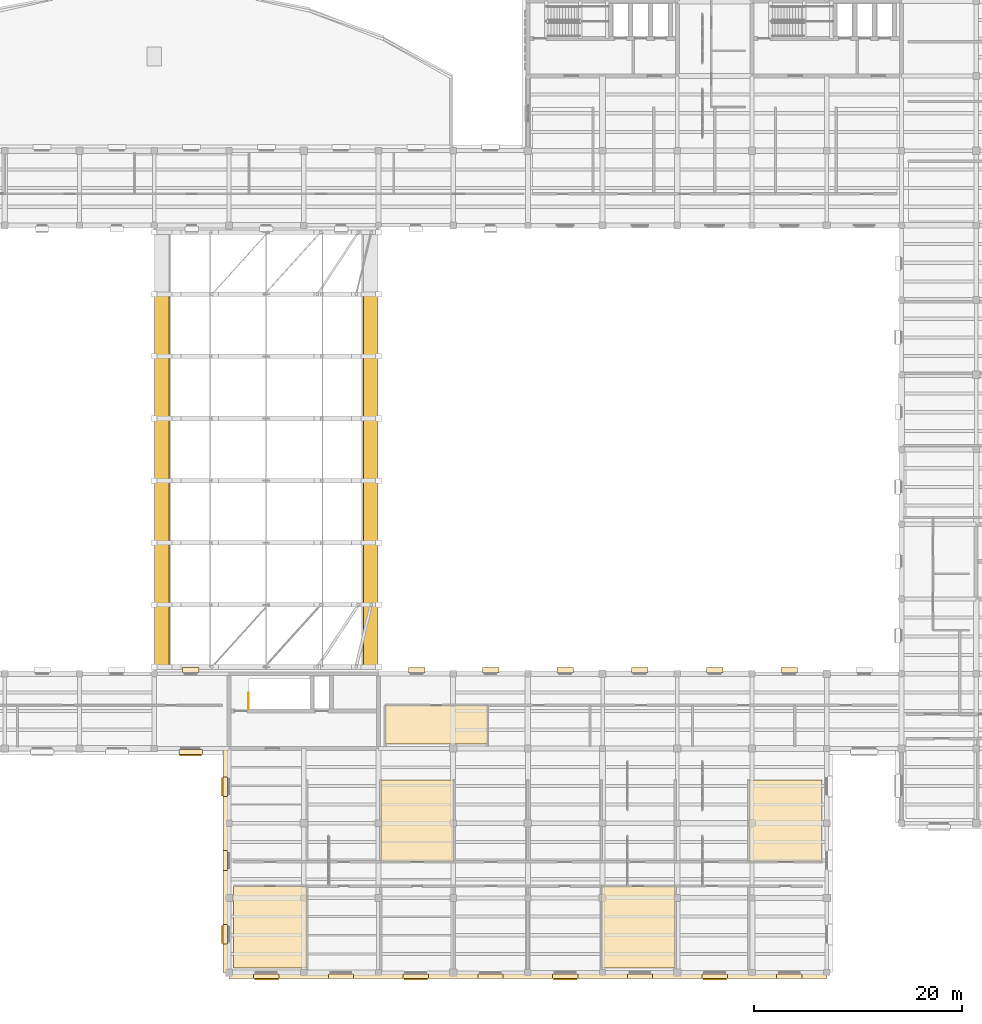
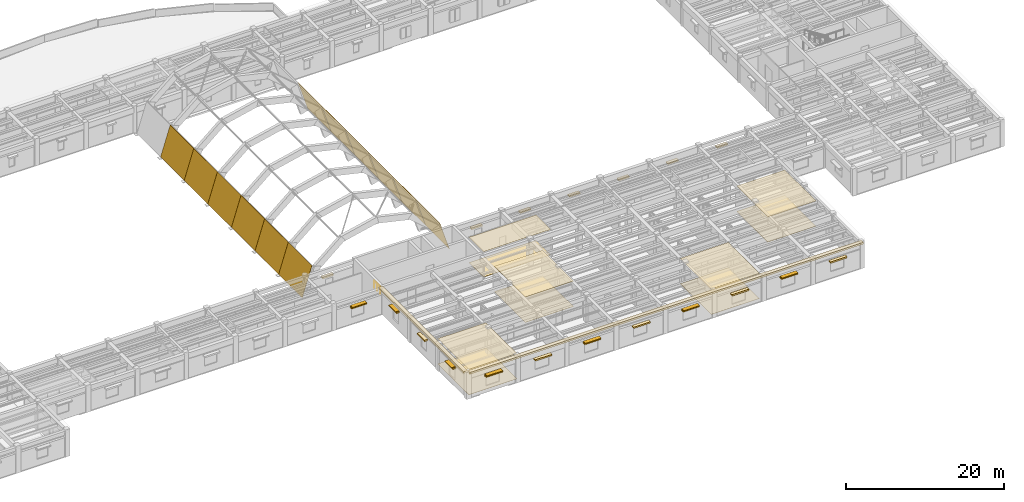
# One storey, part 61 of 66: 43 coverings, 7 shading devices, 1 railing.
"""IFC4 building model written with IfcOpenShell, lengths in metres."""

import ifcopenshell
import ifcopenshell.guid

model = None  # the IFC model being written
_history = None  # IfcOwnerHistory: only IFC2X3 demands one
_inside = {}  # id of a spatial element -> (the spatial element, [elements in it])
_under = {}  # id of a project, library or spatial element -> (it, [spatial elements below it])
_declared = {}  # id of a project -> (the project, [libraries it declares])
_typed = {}  # id of a type object -> (the type object, [elements of that type])
_made_of = {}  # id of a material, layer set ... -> (it, [elements and type objects made of it])


def new_model(schema):
    """Start an empty IFC model of exactly this schema.

    Asked for "IFC4X3", IfcOpenShell would pick the latest addendum, in which some entities
    have other attributes; the version numbers below select the first issue.
    IFC2X3 requires an IfcOwnerHistory on every rooted entity: one is made here for all.
    """
    global model, _history
    if schema == "IFC4X3":
        model = ifcopenshell.file(schema_version=(4, 3, 0, 0))
    else:
        model = ifcopenshell.file(schema=schema)
    _inside.clear()
    _under.clear()
    _declared.clear()
    _typed.clear()
    _made_of.clear()
    _history = None
    if model.schema == "IFC2X3":
        org = make("IfcOrganization", Name="unknown")
        user = make(
            "IfcPersonAndOrganization",
            ThePerson=make("IfcPerson", FamilyName="unknown"),
            TheOrganization=org,
        )
        app = make(
            "IfcApplication",
            ApplicationDeveloper=org,
            Version="unknown",
            ApplicationFullName="unknown",
            ApplicationIdentifier="unknown",
        )
        _history = make(
            "IfcOwnerHistory",
            OwningUser=user,
            OwningApplication=app,
            ChangeAction="ADDED",
            CreationDate=0,
        )
    return model


def make(cls, **values):
    """One entity of the class cls with the attributes given. An attribute that is None is left unset."""
    return model.create_entity(
        cls, **{name: value for name, value in values.items() if value is not None}
    )


def rooted(cls, **values):
    """An entity with a GlobalId (a new one), such as an element, a storey or a relation."""
    return make(cls, GlobalId=ifcopenshell.guid.new(), OwnerHistory=_history, **values)


def si_unit(unit_type, name, prefix=None):
    """IfcSIUnit, for example si_unit("LENGTHUNIT", "METRE", prefix="MILLI")."""
    return make("IfcSIUnit", UnitType=unit_type, Prefix=prefix, Name=name)


def assignment(units):
    """IfcUnitAssignment: the units of a project."""
    return None if units is None else make("IfcUnitAssignment", Units=units)


def point(xyz):
    """IfcCartesianPoint."""
    return None if xyz is None else make("IfcCartesianPoint", Coordinates=xyz)


def direction(xyz):
    """IfcDirection."""
    return None if xyz is None else make("IfcDirection", DirectionRatios=xyz)


def frame(location, z_axis=None, x_axis=None):
    """IfcAxis2Placement3D, a coordinate frame: its origin and axes. An axis left out is left unset."""
    return make(
        "IfcAxis2Placement3D",
        Location=point(location),
        Axis=direction(z_axis),
        RefDirection=direction(x_axis),
    )


def frame_2d(location, x_axis=None):
    """IfcAxis2Placement2D, a coordinate frame in the plane: its origin and x axis."""
    return make(
        "IfcAxis2Placement2D", Location=point(location), RefDirection=direction(x_axis)
    )


def origin():
    """The frame at (0, 0, 0) with its axes left unset."""
    return frame((0.0, 0.0, 0.0))


def origin_2d():
    """The frame at (0, 0) in the plane with its x axis left unset."""
    return frame_2d((0.0, 0.0))


def place(relative_to, where):
    """IfcLocalPlacement: puts the frame where relative to a parent placement (None: the world)."""
    return make(
        "IfcLocalPlacement", PlacementRelTo=relative_to, RelativePlacement=where
    )


def context(
    kind, dimensions, precision=None, world=None, true_north=None, identifier=None
):
    """IfcGeometricRepresentationContext, for example the 3D "Model" context."""
    return make(
        "IfcGeometricRepresentationContext",
        ContextIdentifier=identifier,
        ContextType=kind,
        CoordinateSpaceDimension=dimensions,
        Precision=precision,
        WorldCoordinateSystem=world,
        TrueNorth=true_north,
    )


def subcontext(parent, identifier, kind, view, scale=None):
    """IfcGeometricRepresentationSubContext, for example "Body" below "Model"."""
    return make(
        "IfcGeometricRepresentationSubContext",
        ContextIdentifier=identifier,
        ContextType=kind,
        ParentContext=parent,
        TargetScale=scale,
        TargetView=view,
    )


def project(units=None, contexts=None):
    """IfcProject with its units and contexts."""
    return rooted(
        "IfcProject",
        Name="project",
        RepresentationContexts=contexts,
        UnitsInContext=assignment(units),
    )


def spatial(cls, under=None, at=None, **own):
    """A site, building, storey or space (cls), placed at a placement, below another one or the project."""
    s = rooted(cls, ObjectPlacement=at, **own)
    if under is not None:
        _under.setdefault(under.id(), (under, []))[1].append(s)
    return s


def polyline(points):
    """IfcPolyline through the points."""
    return make("IfcPolyline", Points=[point(p) for p in points])


def profile(cls, at=None, kind="AREA", **sizes):
    """A parametric profile (cls). Its sizes go by their IFC names, for example OverallWidth=200.0."""
    return make(cls, ProfileType=kind, Position=at, **sizes)


def rectangle(**sizes):
    """IfcRectangleProfileDef."""
    return profile("IfcRectangleProfileDef", **sizes)


def circle(**sizes):
    """IfcCircleProfileDef."""
    return profile("IfcCircleProfileDef", **sizes)


def outline(outer, holes=None, kind="AREA"):
    """IfcArbitraryClosedProfileDef: a profile drawn as a closed curve; with holes, ...WithVoids."""
    if holes is None:
        return make("IfcArbitraryClosedProfileDef", ProfileType=kind, OuterCurve=outer)
    return make(
        "IfcArbitraryProfileDefWithVoids",
        ProfileType=kind,
        OuterCurve=outer,
        InnerCurves=holes,
    )


def extrude(swept, where, along, depth):
    """IfcExtrudedAreaSolid: the profile swept, set in the frame where, extruded along a direction by depth."""
    return make(
        "IfcExtrudedAreaSolid",
        SweptArea=swept,
        Position=where,
        ExtrudedDirection=direction(along),
        Depth=depth,
    )


def shape(context_of_items, identifier, shape_type, items):
    """IfcShapeRepresentation: the items that make up one representation, for example the "Body"."""
    return make(
        "IfcShapeRepresentation",
        ContextOfItems=context_of_items,
        RepresentationIdentifier=identifier,
        RepresentationType=shape_type,
        Items=items,
    )


def material(Name=None, Category=None):
    """IfcMaterial."""
    return make("IfcMaterial", Name=Name, Category=Category)


def layer(
    of_material, thickness, ventilated=None, Name=None, Category=None, Priority=None
):
    """IfcMaterialLayer: one layer of a wall or slab, of a material (None: an air gap)."""
    return make(
        "IfcMaterialLayer",
        Material=of_material,
        LayerThickness=thickness,
        IsVentilated=ventilated,
        Name=Name,
        Category=Category,
        Priority=Priority,
    )


def layer_set(layers, Name=None):
    """IfcMaterialLayerSet."""
    return make("IfcMaterialLayerSet", MaterialLayers=layers, LayerSetName=Name)


def made_of(thing, what):
    """Note that an element or type object is made of a material, layer set ...; save() writes the relation."""
    if what is not None:
        _made_of.setdefault(what.id(), (what, []))[1].append(thing)
    return thing


def type_object(cls, material=None, **own):
    """A type object (cls), such as IfcWallType, which elements share."""
    return made_of(rooted(cls, **own), material)


def element(
    cls,
    number,
    at=None,
    inside=None,
    cuts=None,
    type_object=None,
    material=None,
    context=None,
    identifier="Body",
    shape_type=None,
    held_by="IfcProductDefinitionShape",
    body=None,
    shapes=None,
    **own,
):
    """One element of the class cls, such as IfcWall. Its Tag is "e" and its number.

    at: its placement. inside: the storey or other place that contains it. cuts: it is an
    opening in that element (IfcRelVoidsElement). A single representation is given by context,
    identifier, shape_type and body (its items); several are given by shapes. held_by: the class
    of the entity that holds the representations. save() writes the other relations.
    """
    e = rooted(cls, Tag="e%d" % number, ObjectPlacement=at, **own)
    if body is not None:
        shapes = [shape(context, identifier, shape_type, body)]
    if shapes is not None:
        e.Representation = make(held_by, Representations=shapes)
    if inside is not None:
        _inside.setdefault(inside.id(), (inside, []))[1].append(e)
    if cuts is not None:
        rooted(
            "IfcRelVoidsElement", RelatingBuildingElement=cuts, RelatedOpeningElement=e
        )
    if type_object is not None:
        _typed.setdefault(type_object.id(), (type_object, []))[1].append(e)
    return made_of(e, material)


def aggregate(whole, parts):
    """IfcRelAggregates: a whole, such as a stair, and the parts it consists of."""
    return rooted("IfcRelAggregates", RelatingObject=whole, RelatedObjects=parts)


def save(model, path):
    """Write the relations noted so far, then the file.

    IfcRelAggregates (storeys below a building ...), IfcRelContainedInSpatialStructure (elements
    in a storey), IfcRelDefinesByType, IfcRelAssociatesMaterial and IfcRelDeclares: one each for
    every whole, place, type object, material and project.
    """
    for whole, parts in _under.values():
        aggregate(whole, parts)
    for where, things in _inside.values():
        rooted(
            "IfcRelContainedInSpatialStructure",
            RelatedElements=things,
            RelatingStructure=where,
        )
    for kind, things in _typed.values():
        rooted("IfcRelDefinesByType", RelatedObjects=things, RelatingType=kind)
    for what, things in _made_of.values():
        rooted("IfcRelAssociatesMaterial", RelatedObjects=things, RelatingMaterial=what)
    for by, libraries in _declared.values():
        rooted("IfcRelDeclares", RelatingContext=by, RelatedDefinitions=libraries)
    model.write(path)


model = new_model("IFC4")

# Units and contexts
model_context = context("Model", 3, precision=1e-05, world=origin(), true_north=direction((0.0, 1.0)))
body_context = subcontext(model_context, "Body", "Model", "MODEL_VIEW")
ifc_project = project(units=[si_unit("LENGTHUNIT", "METRE"), si_unit("AREAUNIT", "SQUARE_METRE"), si_unit("VOLUMEUNIT", "CUBIC_METRE"), si_unit("PLANEANGLEUNIT", "RADIAN"), si_unit("MASSUNIT", "GRAM", prefix="KILO")], contexts=[model_context])

# Site, building, storey
site_placement = place(None, origin())
site = spatial("IfcSite", under=ifc_project, at=site_placement, CompositionType="ELEMENT")
building_placement = place(site_placement, origin())
building = spatial("IfcBuilding", under=site, at=building_placement, Name="Mithqara Police Headquarters", CompositionType="ELEMENT")
storey_placement = place(building_placement, frame((0.0, 0.0, 9.60009765625)))
storey = spatial("IfcBuildingStorey", under=building, at=storey_placement, Name="L02", CompositionType="ELEMENT", Elevation=9.60009765625)

# Coverings
ifc_material_1 = material(Name="Acoustic mineral-fibre ceiling tile", Category="gypsum")
ifc_layer_1 = layer(ifc_material_1, 0.02490234375, Name="Acoustic mineral-fibre ceiling tile")
ifc_layer_set_1 = layer_set([ifc_layer_1], Name="Acoustic mineral-fibre ceiling tile")
covering_type_1 = type_object("IfcCoveringType", Name="ACOUSTIC CEILING TILE", PredefinedType="CEILING", material=ifc_layer_set_1)
covering_1_placement = place(storey_placement, frame((0.0, 0.0, 3.914794921875)))
element("IfcCovering", 1, at=covering_1_placement, inside=storey, type_object=covering_type_1, Name="Community Safety Analysis Office Acoustic Ceiling", PredefinedType="CEILING", context=body_context, shape_type="SweptSolid", body=[
    extrude(outline(polyline([(94.8701171875, 28.639892578125), (104.696044921875, 28.639892578125), (104.696044921875, 32.340087890625), (94.8701171875, 32.340087890625), (94.8701171875, 28.639892578125)])), origin(), (0.0, 0.0, 1.0), 0.025146484375),
])
covering_2_placement = place(storey_placement, frame((0.0, 0.0, 3.914794921875)))
element("IfcCovering", 2, at=covering_2_placement, inside=storey, type_object=covering_type_1, Name="Custody Administration Suite Acoustic Ceiling", PredefinedType="CEILING", context=body_context, shape_type="SweptSolid", body=[
    extrude(outline(polyline([(80.239990234375, 7.0400390625), (87.294921875, 7.0400390625), (87.294921875, 14.919921875), (80.239990234375, 14.919921875), (80.239990234375, 7.0400390625)])), origin(), (0.0, 0.0, 1.0), 0.025146484375),
])
covering_3_placement = place(storey_placement, frame((0.0, 0.0, 3.914794921875)))
element("IfcCovering", 3, at=covering_3_placement, inside=storey, type_object=covering_type_1, Name="Legal Counsel Consultation Room Acoustic Ceiling", PredefinedType="CEILING", context=body_context, shape_type="SweptSolid", body=[
    extrude(outline(polyline([(115.715087890625, 7.0400390625), (122.77001953125, 7.0400390625), (122.77001953125, 14.919921875), (115.715087890625, 14.919921875), (115.715087890625, 7.0400390625)])), origin(), (0.0, 0.0, 1.0), 0.025146484375),
])
covering_4_placement = place(storey_placement, frame((0.0, 0.0, 3.914794921875)))
element("IfcCovering", 4, at=covering_4_placement, inside=storey, type_object=covering_type_1, Name="Magistrate Video Hearing Room Acoustic Ceiling", PredefinedType="CEILING", context=body_context, shape_type="SweptSolid", body=[
    extrude(outline(polyline([(94.429931640625, 17.300048828125), (101.485107421875, 17.300048828125), (101.485107421875, 25.179931640625), (94.429931640625, 25.179931640625), (94.429931640625, 17.300048828125)])), origin(), (0.0, 0.0, 1.0), 0.025146484375),
])
covering_5_placement = place(storey_placement, frame((0.0, 0.0, 3.914794921875)))
element("IfcCovering", 5, at=covering_5_placement, inside=storey, type_object=covering_type_1, Name="Custody Administration Suite Acoustic Ceiling", PredefinedType="CEILING", context=body_context, shape_type="SweptSolid", body=[
    extrude(outline(polyline([(129.905029296875, 17.300048828125), (136.9599609375, 17.300048828125), (136.9599609375, 25.179931640625), (129.905029296875, 25.179931640625), (129.905029296875, 17.300048828125)])), origin(), (0.0, 0.0, 1.0), 0.025146484375),
])
ifc_material_2 = material(Name="Limestone ashlar masonry, 45 MPa", Category="masonry")
ifc_layer_2 = layer(ifc_material_2, 0.320068359375, Name="Limestone ashlar masonry, 45 MPa")
ifc_layer_set_2 = layer_set([ifc_layer_2], Name="Limestone ashlar masonry, 45 MPa")
covering_type_2 = type_object("IfcCoveringType", Name="CORNICE LIMESTONE", PredefinedType="CLADDING", material=ifc_layer_set_2)
covering_6_placement = place(storey_placement, frame((79.52001953125, 17.39990234375, 3.919921875), z_axis=(0.0, 0.0, 1.0), x_axis=(0.0, 1.0, 0.0)))
element("IfcCovering", 6, at=covering_6_placement, inside=storey, type_object=covering_type_2, Name="L02 Projecting Ottoman Limestone Eaves Cornice 1", PredefinedType="CLADDING", context=body_context, shape_type="SweptSolid", body=[
    extrude(rectangle(XDim=21.60009765625, YDim=0.56005859375, at=origin_2d()), origin(), (0.0, 0.0, 1.0), 0.280029296875),
])
covering_7_placement = place(storey_placement, frame((108.60009765625, 6.320068359375, 3.919921875), z_axis=(0.0, 0.0, 1.0), x_axis=(1.0, 0.0, 0.0)))
element("IfcCovering", 7, at=covering_7_placement, inside=storey, type_object=covering_type_2, Name="L02 Projecting Ottoman Limestone Eaves Cornice 2", PredefinedType="CLADDING", context=body_context, shape_type="SweptSolid", body=[
    extrude(rectangle(XDim=57.60009765625, YDim=0.56005859375, at=origin_2d()), origin(), (0.0, 0.0, 1.0), 0.280029296875),
])

# Shading devices
ifc_material_3 = material(Name="Bronze anodised aluminium 6063-T6", Category="aluminium")
shading_device_type = type_object("IfcShadingDeviceType", Name="SOLAR LOUVRE BRONZE", PredefinedType="JALOUSIE", material=ifc_material_3)
for number, where, z_axis, x_axis, name in (
    (8, (79.389892578125, 10.280029296875, 3.079833984375), (0.0, 0.0, 1.0), (0.0, 1.0, 0.0), "L02 Window Solar Louvre Hood 1.1"),
    (9, (79.389892578125, 24.5048828125, 3.079833984375), (0.0, 0.0, 1.0), (0.0, 1.0, 0.0), "L02 Window Solar Louvre Hood 1.3"),
):
    element("IfcShadingDevice", number, at=place(storey_placement, frame(where, z_axis=z_axis, x_axis=x_axis)), inside=storey, type_object=shading_device_type, Name=name, PredefinedType="JALOUSIE", context=body_context, shape_type="SweptSolid", body=[
        extrude(rectangle(XDim=1.75, YDim=0.60009765625, at=origin_2d()), origin(), (0.0, 0.0, 1.0), 0.10009765625),
    ])
for number, where, z_axis, x_axis, name in (
    (10, (83.39990234375, 6.18994140625, 2.829833984375), (0.0, 0.0, 1.0), (1.0, 0.0, 0.0), "L02 Window Solar Louvre Hood 2.1"),
    (11, (97.800048828125, 6.18994140625, 2.829833984375), (0.0, 0.0, 1.0), (1.0, 0.0, 0.0), "L02 Window Solar Louvre Hood 2.3"),
    (12, (112.199951171875, 6.18994140625, 2.829833984375), (0.0, 0.0, 1.0), (1.0, 0.0, 0.0), "L02 Window Solar Louvre Hood 2.5"),
    (13, (126.60009765625, 6.18994140625, 2.829833984375), (0.0, 0.0, 1.0), (1.0, 0.0, 0.0), "L02 Window Solar Louvre Hood 2.7"),
):
    element("IfcShadingDevice", number, at=place(storey_placement, frame(where, z_axis=z_axis, x_axis=x_axis)), inside=storey, type_object=shading_device_type, Name=name, PredefinedType="JALOUSIE", context=body_context, shape_type="SweptSolid", body=[
        extrude(rectangle(XDim=2.300048828125, YDim=0.60009765625, at=origin_2d()), origin(), (0.0, 0.0, 1.0), 0.10009765625),
    ])
shading_device_placement = place(storey_placement, frame((76.10498046875, 27.7900390625, 2.829833984375), z_axis=(0.0, 0.0, 1.0), x_axis=(1.0, 0.0, 0.0)))
element("IfcShadingDevice", 14, at=shading_device_placement, inside=storey, type_object=shading_device_type, Name="L02 Window Solar Louvre Hood 18.7", PredefinedType="JALOUSIE", context=body_context, shape_type="SweptSolid", body=[
    extrude(rectangle(XDim=2.10009765625, YDim=0.60009765625, at=origin_2d()), origin(), (0.0, 0.0, 1.0), 0.10009765625),
])

# Railing
ifc_material_4 = material(Name="Steel S355JR", Category="steel")
railing_type = type_object("IfcRailingType", Name="STAIR GUARD 1120", PredefinedType="GUARDRAIL", material=ifc_material_4)
railing_placement = place(storey_placement, frame((81.699951171875, 32.0, 0.0)))
element("IfcRailing", 15, at=railing_placement, inside=storey, type_object=railing_type, Name="L02 ST-07 top well guard 1", PredefinedType="GUARDRAIL", context=body_context, shape_type="SweptSolid", body=[
    extrude(circle(Radius=0.02392578125, at=origin_2d()), frame((0.0, 0.0, 1.076171875), z_axis=(0.0, 1.0, 0.0), x_axis=(-1.0, 0.0, 0.0)), (0.0, 0.0, 1.0), 1.550048828125),
    extrude(circle(Radius=0.02099609375, at=origin_2d()), origin(), (0.0, 0.0, 1.0), 1.052001953125),
    extrude(circle(Radius=0.02099609375, at=origin_2d()), frame((0.0, 0.77490234375, 0.0)), (0.0, 0.0, 1.0), 1.052001953125),
    extrude(circle(Radius=0.02099609375, at=origin_2d()), frame((0.0, 1.550048828125, 0.0)), (0.0, 0.0, 1.0), 1.052001953125),
])

# Coverings
ifc_material_5 = material(Name="Standing seam zinc-aluminium roofing", Category="aluminium")
ifc_layer_3 = layer(ifc_material_5, 0.0400390625, Name="Standing seam zinc-aluminium roofing")
ifc_layer_set_3 = layer_set([ifc_layer_3], Name="Standing seam zinc-aluminium roofing")
covering_type_3 = type_object("IfcCoveringType", Name="STANDING SEAM ROOFING", PredefinedType="ROOFING", material=ifc_layer_set_3)
for number, where, z_axis, x_axis, name in (
    (16, (72.620361328125, 36.052978515625, 0.104736328125), (-0.953912787202, 0.0, 0.300083978934), (0.300083978934, 0.0, 0.953912787202), "Public Entrance Hall Barrel Vault Shell Strip Bay 1 Facet 1 Standing-Seam Metal Cladding"),
    (17, (92.7734375, 36.052978515625, 4.574951171875), (0.953912787202, 0.0, 0.300083978934), (0.300083978934, 0.0, -0.953912787202), "Public Entrance Hall Barrel Vault Shell Strip Bay 1 Facet 6 Standing-Seam Metal Cladding"),
):
    element("IfcCovering", number, at=place(storey_placement, frame(where, z_axis=z_axis, x_axis=x_axis)), inside=storey, type_object=covering_type_3, Name=name, PredefinedType="ROOFING", context=body_context, shape_type="SweptSolid", body=[
        extrude(outline(polyline([(0.0, 0.0), (4.686188196368434, 0.0), (4.686188196368434, 5.979736328125), (0.0, 5.979736328125), (0.0, 0.0)])), origin(), (0.0, 0.0, -1.0), 0.0400390625),
    ])
for number, where, z_axis, x_axis, name in (
    (18, (72.620361328125, 42.038818359375, 0.104736328125), (-0.953912787202, 0.0, 0.300083978934), (0.300083978934, 0.0, 0.953912787202), "Public Entrance Hall Barrel Vault Shell Strip Bay 2 Facet 1 Standing-Seam Metal Cladding"),
    (19, (92.7734375, 42.038818359375, 4.574951171875), (0.953912787202, 0.0, 0.300083978934), (0.300083978934, 0.0, -0.953912787202), "Public Entrance Hall Barrel Vault Shell Strip Bay 2 Facet 6 Standing-Seam Metal Cladding"),
):
    element("IfcCovering", number, at=place(storey_placement, frame(where, z_axis=z_axis, x_axis=x_axis)), inside=storey, type_object=covering_type_3, Name=name, PredefinedType="ROOFING", context=body_context, shape_type="SweptSolid", body=[
        extrude(outline(polyline([(0.0, 0.0), (4.686188196368434, 0.0), (4.686188196368434, 5.9794921875), (0.0, 5.9794921875), (0.0, 0.0)])), origin(), (0.0, 0.0, -1.0), 0.0400390625),
    ])
for number, where, z_axis, x_axis, name in (
    (20, (72.620361328125, 48.0244140625, 0.104736328125), (-0.953912787202, 0.0, 0.300083978934), (0.300083978934, 0.0, 0.953912787202), "Public Entrance Hall Barrel Vault Shell Strip Bay 3 Facet 1 Standing-Seam Metal Cladding"),
    (21, (92.7734375, 48.0244140625, 4.574951171875), (0.953912787202, 0.0, 0.300083978934), (0.300083978934, 0.0, -0.953912787202), "Public Entrance Hall Barrel Vault Shell Strip Bay 3 Facet 6 Standing-Seam Metal Cladding"),
):
    element("IfcCovering", number, at=place(storey_placement, frame(where, z_axis=z_axis, x_axis=x_axis)), inside=storey, type_object=covering_type_3, Name=name, PredefinedType="ROOFING", context=body_context, shape_type="SweptSolid", body=[
        extrude(outline(polyline([(0.0, 0.0), (4.686188196368434, 0.0), (4.686188196368434, 5.979736328125), (0.0, 5.979736328125), (0.0, 0.0)])), origin(), (0.0, 0.0, -1.0), 0.0400390625),
    ])
for number, where, z_axis, x_axis, name in (
    (22, (72.620361328125, 54.010009765625, 0.104736328125), (-0.953912787202, 0.0, 0.300083978934), (0.300083978934, 0.0, 0.953912787202), "Public Entrance Hall Barrel Vault Shell Strip Bay 4 Facet 1 Standing-Seam Metal Cladding"),
    (23, (92.7734375, 54.010009765625, 4.574951171875), (0.953912787202, 0.0, 0.300083978934), (0.300083978934, 0.0, -0.953912787202), "Public Entrance Hall Barrel Vault Shell Strip Bay 4 Facet 6 Standing-Seam Metal Cladding"),
):
    element("IfcCovering", number, at=place(storey_placement, frame(where, z_axis=z_axis, x_axis=x_axis)), inside=storey, type_object=covering_type_3, Name=name, PredefinedType="ROOFING", context=body_context, shape_type="SweptSolid", body=[
        extrude(outline(polyline([(0.0, 0.0), (4.686188196368434, 0.0), (4.686188196368434, 5.97998046875), (0.0, 5.97998046875), (0.0, 0.0)])), origin(), (0.0, 0.0, -1.0), 0.0400390625),
    ])
for number, where, z_axis, x_axis, name in (
    (24, (72.620361328125, 59.995849609375, 0.104736328125), (-0.953912787202, 0.0, 0.300083978934), (0.300083978934, 0.0, 0.953912787202), "Public Entrance Hall Barrel Vault Shell Strip Bay 5 Facet 1 Standing-Seam Metal Cladding"),
    (25, (92.7734375, 59.995849609375, 4.574951171875), (0.953912787202, 0.0, 0.300083978934), (0.300083978934, 0.0, -0.953912787202), "Public Entrance Hall Barrel Vault Shell Strip Bay 5 Facet 6 Standing-Seam Metal Cladding"),
):
    element("IfcCovering", number, at=place(storey_placement, frame(where, z_axis=z_axis, x_axis=x_axis)), inside=storey, type_object=covering_type_3, Name=name, PredefinedType="ROOFING", context=body_context, shape_type="SweptSolid", body=[
        extrude(outline(polyline([(0.0, 0.0), (4.686188196368434, 0.0), (4.686188196368434, 5.979736328125), (0.0, 5.979736328125), (0.0, 0.0)])), origin(), (0.0, 0.0, -1.0), 0.0400390625),
    ])
for number, where, z_axis, x_axis, name in (
    (26, (72.620361328125, 65.981689453125, 0.104736328125), (-0.953912787202, 0.0, 0.300083978934), (0.300083978934, 0.0, 0.953912787202), "Public Entrance Hall Barrel Vault Shell Strip Bay 6 Facet 1 Standing-Seam Metal Cladding"),
    (27, (92.7734375, 65.981689453125, 4.574951171875), (0.953912787202, 0.0, 0.300083978934), (0.300083978934, 0.0, -0.953912787202), "Public Entrance Hall Barrel Vault Shell Strip Bay 6 Facet 6 Standing-Seam Metal Cladding"),
):
    element("IfcCovering", number, at=place(storey_placement, frame(where, z_axis=z_axis, x_axis=x_axis)), inside=storey, type_object=covering_type_3, Name=name, PredefinedType="ROOFING", context=body_context, shape_type="SweptSolid", body=[
        extrude(outline(polyline([(0.0, 0.0), (4.686188196368434, 0.0), (4.686188196368434, 5.9794921875), (0.0, 5.9794921875), (0.0, 0.0)])), origin(), (0.0, 0.0, -1.0), 0.0400390625),
    ])
ifc_material_6 = material(Name="Polished limestone terrazzo flooring", Category="masonry")
ifc_layer_4 = layer(ifc_material_6, 0.02001953125, Name="Polished limestone terrazzo flooring")
ifc_layer_set_4 = layer_set([ifc_layer_4], Name="Polished limestone terrazzo flooring")
covering_type_4 = type_object("IfcCoveringType", Name="TERRAZZO FLOOR FINISH", PredefinedType="FLOORING", material=ifc_layer_set_4)
covering_8_placement = place(storey_placement, origin())
element("IfcCovering", 28, at=covering_8_placement, inside=storey, type_object=covering_type_4, Name="Community Safety Analysis Office Terrazzo Floor Finish", PredefinedType="FLOORING", context=body_context, shape_type="SweptSolid", body=[
    extrude(outline(polyline([(94.8701171875, 28.639892578125), (104.696044921875, 28.639892578125), (104.696044921875, 32.340087890625), (94.8701171875, 32.340087890625), (94.8701171875, 28.639892578125)])), origin(), (0.0, 0.0, 1.0), 0.02001953125),
])
covering_9_placement = place(storey_placement, origin())
element("IfcCovering", 29, at=covering_9_placement, inside=storey, type_object=covering_type_4, Name="Custody Administration Suite Terrazzo Floor Finish", PredefinedType="FLOORING", context=body_context, shape_type="SweptSolid", body=[
    extrude(outline(polyline([(80.239990234375, 7.0400390625), (87.294921875, 7.0400390625), (87.294921875, 14.919921875), (80.239990234375, 14.919921875), (80.239990234375, 7.0400390625)])), origin(), (0.0, 0.0, 1.0), 0.02001953125),
])
covering_10_placement = place(storey_placement, origin())
element("IfcCovering", 30, at=covering_10_placement, inside=storey, type_object=covering_type_4, Name="Legal Counsel Consultation Room Terrazzo Floor Finish", PredefinedType="FLOORING", context=body_context, shape_type="SweptSolid", body=[
    extrude(outline(polyline([(115.715087890625, 7.0400390625), (122.77001953125, 7.0400390625), (122.77001953125, 14.919921875), (115.715087890625, 14.919921875), (115.715087890625, 7.0400390625)])), origin(), (0.0, 0.0, 1.0), 0.02001953125),
])
covering_11_placement = place(storey_placement, origin())
element("IfcCovering", 31, at=covering_11_placement, inside=storey, type_object=covering_type_4, Name="Magistrate Video Hearing Room Terrazzo Floor Finish", PredefinedType="FLOORING", context=body_context, shape_type="SweptSolid", body=[
    extrude(outline(polyline([(94.429931640625, 17.300048828125), (101.485107421875, 17.300048828125), (101.485107421875, 25.179931640625), (94.429931640625, 25.179931640625), (94.429931640625, 17.300048828125)])), origin(), (0.0, 0.0, 1.0), 0.02001953125),
])
covering_12_placement = place(storey_placement, origin())
element("IfcCovering", 32, at=covering_12_placement, inside=storey, type_object=covering_type_4, Name="Custody Administration Suite Terrazzo Floor Finish", PredefinedType="FLOORING", context=body_context, shape_type="SweptSolid", body=[
    extrude(outline(polyline([(129.905029296875, 17.300048828125), (136.9599609375, 17.300048828125), (136.9599609375, 25.179931640625), (129.905029296875, 25.179931640625), (129.905029296875, 17.300048828125)])), origin(), (0.0, 0.0, 1.0), 0.02001953125),
])
ifc_layer_5 = layer(ifc_material_2, 0.239990234375, Name="Limestone ashlar masonry, 45 MPa")
ifc_layer_set_5 = layer_set([ifc_layer_5], Name="Limestone ashlar masonry, 45 MPa")
covering_type_5 = type_object("IfcCoveringType", Name="WINDOW HOOD LIMESTONE", PredefinedType="CLADDING", material=ifc_layer_set_5)
for number, where, z_axis, x_axis, name in (
    (33, (79.449951171875, 10.280029296875, 2.8701171875), (0.0, 0.0, 1.0), (0.0, 1.0, 0.0), "L02 Limestone Window Architrave Hood 1.1"),
    (34, (79.449951171875, 17.39990234375, 2.8701171875), (0.0, 0.0, 1.0), (0.0, 1.0, 0.0), "L02 Limestone Window Architrave Hood 1.2"),
    (35, (79.449951171875, 24.5048828125, 2.8701171875), (0.0, 0.0, 1.0), (0.0, 1.0, 0.0), "L02 Limestone Window Architrave Hood 1.3"),
):
    element("IfcCovering", number, at=place(storey_placement, frame(where, z_axis=z_axis, x_axis=x_axis)), inside=storey, type_object=covering_type_5, Name=name, PredefinedType="CLADDING", context=body_context, shape_type="SweptSolid", body=[
        extrude(rectangle(XDim=1.889892578125, YDim=0.4599609375, at=origin_2d()), origin(), (0.0, 0.0, 1.0), 0.219970703125),
    ])
for number, where, z_axis, x_axis, name in (
    (36, (83.39990234375, 6.25, 2.6201171875), (0.0, 0.0, 1.0), (1.0, 0.0, 0.0), "L02 Limestone Window Architrave Hood 2.1"),
    (37, (90.60009765625, 6.25, 2.6201171875), (0.0, 0.0, 1.0), (1.0, 0.0, 0.0), "L02 Limestone Window Architrave Hood 2.2"),
    (38, (97.800048828125, 6.25, 2.6201171875), (0.0, 0.0, 1.0), (1.0, 0.0, 0.0), "L02 Limestone Window Architrave Hood 2.3"),
    (39, (105.0, 6.25, 2.6201171875), (0.0, 0.0, 1.0), (1.0, 0.0, 0.0), "L02 Limestone Window Architrave Hood 2.4"),
    (40, (112.199951171875, 6.25, 2.6201171875), (0.0, 0.0, 1.0), (1.0, 0.0, 0.0), "L02 Limestone Window Architrave Hood 2.5"),
    (41, (119.39990234375, 6.25, 2.6201171875), (0.0, 0.0, 1.0), (1.0, 0.0, 0.0), "L02 Limestone Window Architrave Hood 2.6"),
    (42, (126.60009765625, 6.25, 2.6201171875), (0.0, 0.0, 1.0), (1.0, 0.0, 0.0), "L02 Limestone Window Architrave Hood 2.7"),
    (43, (133.800048828125, 6.25, 2.6201171875), (0.0, 0.0, 1.0), (1.0, 0.0, 0.0), "L02 Limestone Window Architrave Hood 2.8"),
):
    element("IfcCovering", number, at=place(storey_placement, frame(where, z_axis=z_axis, x_axis=x_axis)), inside=storey, type_object=covering_type_5, Name=name, PredefinedType="CLADDING", context=body_context, shape_type="SweptSolid", body=[
        extrude(rectangle(XDim=2.43994140625, YDim=0.4599609375, at=origin_2d()), origin(), (0.0, 0.0, 1.0), 0.219970703125),
    ])
covering_13_placement = place(storey_placement, frame((76.10498046875, 27.85009765625, 2.6201171875), z_axis=(0.0, 0.0, 1.0), x_axis=(1.0, 0.0, 0.0)))
element("IfcCovering", 44, at=covering_13_placement, inside=storey, type_object=covering_type_5, Name="L02 Limestone Window Architrave Hood 18.7", PredefinedType="CLADDING", context=body_context, shape_type="SweptSolid", body=[
    extrude(rectangle(XDim=2.239990234375, YDim=0.4599609375, at=origin_2d()), origin(), (0.0, 0.0, 1.0), 0.219970703125),
])
for number, where, z_axis, x_axis, name in (
    (45, (97.89501953125, 35.75, 2.3701171875), (0.0, 0.0, 1.0), (1.0, 0.0, 0.0), "L02 Limestone Window Architrave Hood 6.1"),
    (46, (105.0, 35.75, 2.3701171875), (0.0, 0.0, 1.0), (1.0, 0.0, 0.0), "L02 Limestone Window Architrave Hood 6.2"),
    (47, (112.199951171875, 35.75, 2.3701171875), (0.0, 0.0, 1.0), (1.0, 0.0, 0.0), "L02 Limestone Window Architrave Hood 6.3"),
    (48, (119.39990234375, 35.75, 2.3701171875), (0.0, 0.0, 1.0), (1.0, 0.0, 0.0), "L02 Limestone Window Architrave Hood 6.4"),
    (49, (126.60009765625, 35.75, 2.3701171875), (0.0, 0.0, 1.0), (1.0, 0.0, 0.0), "L02 Limestone Window Architrave Hood 6.5"),
    (50, (133.800048828125, 35.75, 2.3701171875), (0.0, 0.0, 1.0), (1.0, 0.0, 0.0), "L02 Limestone Window Architrave Hood 6.6"),
    (51, (76.10498046875, 35.75, 2.3701171875), (0.0, 0.0, 1.0), (1.0, 0.0, 0.0), "L02 Limestone Window Architrave Hood 6.7"),
):
    element("IfcCovering", number, at=place(storey_placement, frame(where, z_axis=z_axis, x_axis=x_axis)), inside=storey, type_object=covering_type_5, Name=name, PredefinedType="CLADDING", context=body_context, shape_type="SweptSolid", body=[
        extrude(rectangle(XDim=1.590087890625, YDim=0.4599609375, at=origin_2d()), origin(), (0.0, 0.0, 1.0), 0.219970703125),
    ])

save(model, "model.ifc")
